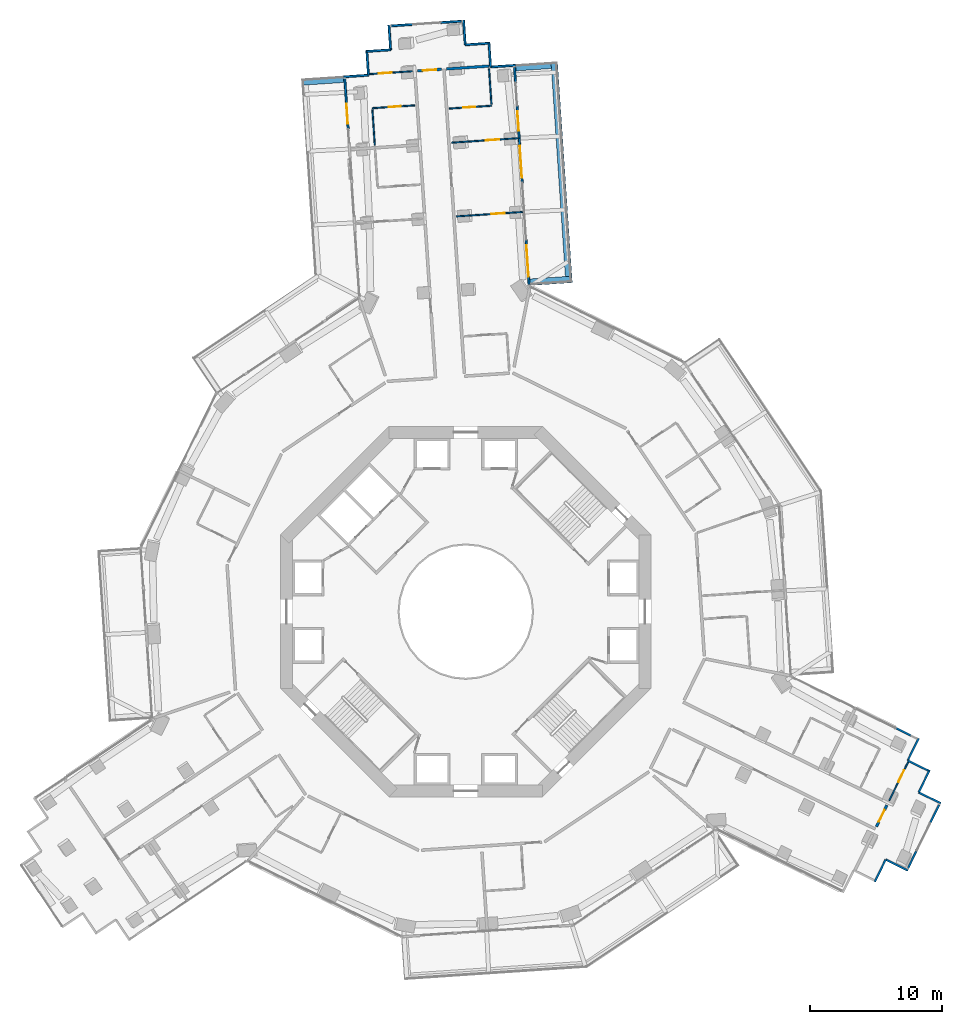
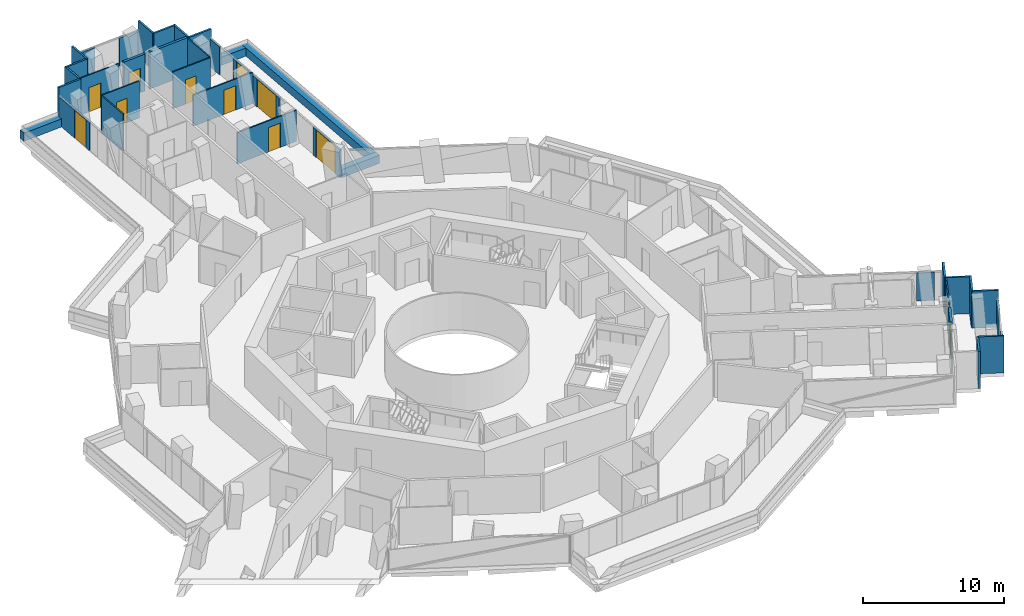
# One storey, part 22 of 25: 39 walls, 12 doors, 12 openings.
"""IFC4 building model written with IfcOpenShell, lengths in metres."""

from ifc_helpers import new_model, si_unit, direction, frame, frame_2d, origin, place, context, subcontext, project, spatial, rectangle, extrude, material, layer, layer_set, type_object, element, fill, save


model = new_model("IFC4")

# Units and contexts
model_context = context("Model", 3, precision=1e-05, world=origin(), true_north=direction((0.0, 1.0)))
body_context = subcontext(model_context, "Body", "Model", "MODEL_VIEW")
ifc_project = project(units=[si_unit("LENGTHUNIT", "METRE"), si_unit("AREAUNIT", "SQUARE_METRE"), si_unit("VOLUMEUNIT", "CUBIC_METRE"), si_unit("PLANEANGLEUNIT", "RADIAN"), si_unit("MASSUNIT", "GRAM", prefix="KILO")], contexts=[model_context])

# Site, building, storey
site_placement = place(None, origin())
site = spatial("IfcSite", under=ifc_project, at=site_placement, CompositionType="ELEMENT")
building_placement = place(site_placement, origin())
building = spatial("IfcBuilding", under=site, at=building_placement, Name="Verdalira Terraces Hotel", CompositionType="ELEMENT")
storey_placement = place(building_placement, frame((0.0, 0.0, 49.5)))
storey = spatial("IfcBuildingStorey", under=building, at=storey_placement, Name="L10", CompositionType="ELEMENT", Elevation=49.5)

# Walls
ifc_material_1 = material(Name="Concrete C40", Category="concrete")
ifc_layer_1 = layer(ifc_material_1, 0.5)
ifc_layer_set_1 = layer_set([ifc_layer_1], Name="Balcony planter trough with tree")
wall_type_1 = type_object("IfcWallType", Name="Balcony planter trough with tree", PredefinedType="SOLIDWALL", material=ifc_layer_set_1)
wall_1_placement = place(storey_placement, frame((-9.216064, 40.231201, 0.0), z_axis=(0.0, 0.0, 1.0), x_axis=(-0.997752279, -0.067010365, 0.0)))
element("IfcWall", 1, at=wall_1_placement, inside=storey, type_object=wall_type_1, Name="Balcony planter", PredefinedType="SOLIDWALL", context=body_context, shape_type="SweptSolid", body=[
    extrude(rectangle(XDim=3.19873, YDim=0.5, at=frame_2d((1.599365, 0.0))), origin(), (0.0, 0.0, 1.0), 0.699951),
])
wall_2_placement = place(storey_placement, frame((4.844971, 24.888672, 0.0), z_axis=(0.0, 0.0, 1.0), x_axis=(0.997752622, 0.067005263, 0.0)))
element("IfcWall", 2, at=wall_2_placement, inside=storey, type_object=wall_type_1, Name="Balcony planter", PredefinedType="SOLIDWALL", context=body_context, shape_type="SweptSolid", body=[
    extrude(rectangle(XDim=3.198975, YDim=0.5, at=frame_2d((1.599609, 0.0))), origin(), (0.0, 0.0, 1.0), 0.699951),
])
wall_3_placement = place(storey_placement, frame((7.770752, 25.335693, 0.0), z_axis=(0.0, 0.0, 1.0), x_axis=(-0.06697871, 0.997754405, 0.0)))
element("IfcWall", 3, at=wall_3_placement, inside=storey, type_object=wall_type_1, Name="Balcony planter", PredefinedType="SOLIDWALL", context=body_context, shape_type="SweptSolid", body=[
    extrude(rectangle(XDim=16.249512, YDim=0.5, at=frame_2d((8.124756, 0.0))), origin(), (0.0, 0.0, 1.0), 0.699951),
])
wall_4_placement = place(storey_placement, frame((6.449707, 41.282715, 0.0), z_axis=(0.0, 0.0, 1.0), x_axis=(-0.997751006, -0.067029329, 0.0)))
element("IfcWall", 4, at=wall_4_placement, inside=storey, type_object=wall_type_1, Name="Balcony planter", PredefinedType="SOLIDWALL", context=body_context, shape_type="SweptSolid", body=[
    extrude(rectangle(XDim=2.698975, YDim=0.5, at=frame_2d((1.349609, 0.0))), origin(), (0.0, 0.0, 1.0), 0.699951),
])
ifc_material_2 = material(Name="Moisture-resistant gypsum board partition")
ifc_layer_2 = layer(ifc_material_2, 0.10009765625)
ifc_layer_set_2 = layer_set([ifc_layer_2], Name="Bathroom partition 100 mm")
wall_type_2 = type_object("IfcWallType", Name="Bathroom partition 100 mm", PredefinedType="PARTITIONING", material=ifc_layer_set_2)
wall_5_placement = place(storey_placement, frame((-7.056396, 37.9375, 0.0), z_axis=(0.0, 0.0, 1.0), x_axis=(0.066909082, -0.997759077, 0.0)))
element("IfcWall", 5, at=wall_5_placement, inside=storey, type_object=wall_type_2, Name="Bathroom partition", PredefinedType="PARTITIONING", context=body_context, shape_type="SweptSolid", body=[
    extrude(rectangle(XDim=2.700195, YDim=0.100098, at=frame_2d((1.350098, 0.0))), origin(), (0.0, 0.0, 1.0), 3.189941),
])

# Wall, opening, door
wall_6_placement = place(storey_placement, frame((-4.043457, 40.828857, 0.0), z_axis=(0.0, 0.0, 1.0), x_axis=(-0.99775516, -0.066967464, 0.0)))
wall_6 = element("IfcWall", 6, at=wall_6_placement, inside=storey, type_object=wall_type_2, Name="Bathroom partition", PredefinedType="PARTITIONING", context=body_context, shape_type="SweptSolid", body=[
    extrude(rectangle(XDim=3.251953, YDim=0.100098, at=frame_2d((1.625977, 0.0))), origin(), (0.0, 0.0, 1.0), 3.189941),
])
opening_1_placement = place(wall_6_placement, frame((1.550049, 0.0, 0.0)))
opening_1 = element("IfcOpeningElement", 7, at=opening_1_placement, cuts=wall_6, Name="Opening L10-107", PredefinedType="OPENING", context=body_context, shape_type="SweptSolid", body=[
    extrude(rectangle(XDim=1.0, YDim=2.100098, at=frame_2d((0.5, 1.050049))), frame((0.0, 0.060059, 0.0), z_axis=(0.0, -1.0, 0.0), x_axis=(1.0, 0.0, 0.0)), (0.0, 0.0, 1.0), 0.120117),
])
ifc_material_3 = material(Name="Timber door", Category="wood")
door_type_1 = type_object("IfcDoorType", Name="Suite internal door 1000 x 2100", OperationType="NOTDEFINED", PredefinedType="DOOR", material=ifc_material_3)
door_1_placement = place(opening_1_placement, origin())
door_1 = element("IfcDoor", 8, at=door_1_placement, inside=storey, type_object=door_type_1, Name="Suite internal door 1002", OperationType="SINGLE_SWING_LEFT", OverallHeight=2.10009765625, OverallWidth=1.0, PredefinedType="DOOR", context=body_context, shape_type="SweptSolid", body=[
    extrude(rectangle(XDim=1.0, YDim=2.100098, at=frame_2d((0.5, 1.050049))), frame((0.0, 0.024902, 0.0), z_axis=(0.0, -1.0, 0.0), x_axis=(1.0, 0.0, 0.0)), (0.0, 0.0, 1.0), 0.050049),
])
fill(opening_1, door_1)

wall_7_placement = place(storey_placement, frame((-3.870361, 38.251465, 0.0), z_axis=(0.0, 0.0, 1.0), x_axis=(-0.997753992, -0.06698486, 0.0)))
wall_7 = element("IfcWall", 9, at=wall_7_placement, inside=storey, type_object=wall_type_2, Name="Bathroom partition", PredefinedType="PARTITIONING", context=body_context, shape_type="SweptSolid", body=[
    extrude(rectangle(XDim=3.199951, YDim=0.100098, at=frame_2d((1.600098, 0.0))), origin(), (0.0, 0.0, 1.0), 3.189941),
])
opening_2_placement = place(wall_7_placement, frame((1.050049, 0.0, 0.0)))
opening_2 = element("IfcOpeningElement", 10, at=opening_2_placement, cuts=wall_7, Name="Opening L10-108", PredefinedType="OPENING", context=body_context, shape_type="SweptSolid", body=[
    extrude(rectangle(XDim=0.899902, YDim=2.100098, at=frame_2d((0.449951, 1.050049))), frame((0.0, 0.060059, 0.0), z_axis=(0.0, -1.0, 0.0), x_axis=(1.0, 0.0, 0.0)), (0.0, 0.0, 1.0), 0.120117),
])
ifc_material_4 = material(Name="Timber door", Category="wood")
door_type_2 = type_object("IfcDoorType", Name="Bathroom door 900 x 2100", OperationType="NOTDEFINED", PredefinedType="DOOR", material=ifc_material_4)
door_2_placement = place(opening_2_placement, origin())
door_2 = element("IfcDoor", 11, at=door_2_placement, inside=storey, type_object=door_type_2, Name="Bathroom door 1002", OperationType="SINGLE_SWING_RIGHT", OverallHeight=2.10009765625, OverallWidth=0.89990234375, PredefinedType="DOOR", context=body_context, shape_type="SweptSolid", body=[
    extrude(rectangle(XDim=0.899902, YDim=2.100098, at=frame_2d((0.449951, 1.050049))), frame((0.0, 0.024902, 0.0), z_axis=(0.0, -1.0, 0.0), x_axis=(1.0, 0.0, 0.0)), (0.0, 0.0, 1.0), 0.050049),
])
fill(opening_2, door_2)

wall_8_placement = place(storey_placement, frame((-1.248291, 38.009766, 0.0), z_axis=(0.0, 0.0, 1.0), x_axis=(0.997753992, 0.06698486, 0.0)))
wall_8 = element("IfcWall", 12, at=wall_8_placement, inside=storey, type_object=wall_type_2, Name="Bathroom partition", PredefinedType="PARTITIONING", context=body_context, shape_type="SweptSolid", body=[
    extrude(rectangle(XDim=3.199951, YDim=0.100098, at=frame_2d((1.600098, 0.0))), origin(), (0.0, 0.0, 1.0), 3.189941),
])
opening_3_placement = place(wall_8_placement, frame((1.050049, 0.0, 0.0)))
opening_3 = element("IfcOpeningElement", 13, at=opening_3_placement, cuts=wall_8, Name="Opening L10-105", PredefinedType="OPENING", context=body_context, shape_type="SweptSolid", body=[
    extrude(rectangle(XDim=0.899902, YDim=2.100098, at=frame_2d((0.449951, 1.050049))), frame((0.0, 0.060059, 0.0), z_axis=(0.0, -1.0, 0.0), x_axis=(1.0, 0.0, 0.0)), (0.0, 0.0, 1.0), 0.120117),
])
door_3_placement = place(opening_3_placement, origin())
door_3 = element("IfcDoor", 14, at=door_3_placement, inside=storey, type_object=door_type_2, Name="Bathroom door 1001", OperationType="SINGLE_SWING_RIGHT", OverallHeight=2.10009765625, OverallWidth=0.89990234375, PredefinedType="DOOR", context=body_context, shape_type="SweptSolid", body=[
    extrude(rectangle(XDim=0.899902, YDim=2.100098, at=frame_2d((0.449951, 1.050049))), frame((0.0, 0.024902, 0.0), z_axis=(0.0, -1.0, 0.0), x_axis=(1.0, 0.0, 0.0)), (0.0, 0.0, 1.0), 0.050049),
])
fill(opening_3, door_3)

# Wall
wall_9_placement = place(storey_placement, frame((1.937744, 38.32373, 0.0), z_axis=(0.0, 0.0, 1.0), x_axis=(-0.066909082, 0.997759077, 0.0)))
element("IfcWall", 15, at=wall_9_placement, inside=storey, type_object=wall_type_2, Name="Bathroom partition", PredefinedType="PARTITIONING", context=body_context, shape_type="SweptSolid", body=[
    extrude(rectangle(XDim=2.700195, YDim=0.100098, at=frame_2d((1.350098, 0.0))), origin(), (0.0, 0.0, 1.0), 3.189941),
])

# Wall, opening, door
wall_10_placement = place(storey_placement, frame((31.995117, -14.267578, 0.0), z_axis=(0.0, 0.0, 1.0), x_axis=(0.440896453, 0.897557975, 0.0)))
wall_10 = element("IfcWall", 16, at=wall_10_placement, inside=storey, type_object=wall_type_2, Name="Bathroom partition", PredefinedType="PARTITIONING", context=body_context, shape_type="SweptSolid", body=[
    extrude(rectangle(XDim=3.252197, YDim=0.100098, at=frame_2d((1.625977, 0.0))), origin(), (0.0, 0.0, 1.0), 3.189941),
])
opening_4_placement = place(wall_10_placement, frame((1.550049, 0.0, 0.0)))
opening_4 = element("IfcOpeningElement", 17, at=opening_4_placement, cuts=wall_10, Name="Opening L10-128", PredefinedType="OPENING", context=body_context, shape_type="SweptSolid", body=[
    extrude(rectangle(XDim=1.0, YDim=2.100098, at=frame_2d((0.5, 1.050049))), frame((0.0, 0.060059, 0.0), z_axis=(0.0, -1.0, 0.0), x_axis=(1.0, 0.0, 0.0)), (0.0, 0.0, 1.0), 0.120117),
])
door_4_placement = place(opening_4_placement, origin())
door_4 = element("IfcDoor", 18, at=door_4_placement, inside=storey, type_object=door_type_1, Name="Suite internal door 1012", OperationType="SINGLE_SWING_LEFT", OverallHeight=2.10009765625, OverallWidth=1.0, PredefinedType="DOOR", context=body_context, shape_type="SweptSolid", body=[
    extrude(rectangle(XDim=1.0, YDim=2.100098, at=frame_2d((0.5, 1.050049))), frame((0.0, 0.024902, 0.0), z_axis=(0.0, -1.0, 0.0), x_axis=(1.0, 0.0, 0.0)), (0.0, 0.0, 1.0), 0.050049),
])
fill(opening_4, door_4)

ifc_material_5 = material(Name="Moisture-resistant gypsum board partition")
ifc_layer_3 = layer(ifc_material_5, 0.10009765625)
ifc_layer_set_3 = layer_set([ifc_layer_3], Name="Bathroom partition 100 mm to beam soffit")
wall_type_3 = type_object("IfcWallType", Name="Bathroom partition 100 mm to beam soffit", PredefinedType="PARTITIONING", material=ifc_layer_set_3)
wall_11_placement = place(storey_placement, frame((-1.075195, 35.432373, 0.0), z_axis=(0.0, 0.0, 1.0), x_axis=(0.997755754, 0.066958606, 0.0)))
wall_11 = element("IfcWall", 19, at=wall_11_placement, inside=storey, type_object=wall_type_3, Name="Bathroom partition", PredefinedType="PARTITIONING", context=body_context, shape_type="SweptSolid", body=[
    extrude(rectangle(XDim=5.049805, YDim=0.100098, at=frame_2d((2.524902, 0.0))), origin(), (0.0, 0.0, 1.0), 2.689941),
])
opening_5_placement = place(wall_11_placement, frame((2.600098, 0.0, 0.0)))
opening_5 = element("IfcOpeningElement", 20, at=opening_5_placement, cuts=wall_11, Name="Opening L10-103", PredefinedType="OPENING", context=body_context, shape_type="SweptSolid", body=[
    extrude(rectangle(XDim=1.0, YDim=2.100098, at=frame_2d((0.5, 1.050049))), frame((0.0, 0.060059, 0.0), z_axis=(0.0, -1.0, 0.0), x_axis=(1.0, 0.0, 0.0)), (0.0, 0.0, 1.0), 0.120117),
])
door_5_placement = place(opening_5_placement, origin())
door_5 = element("IfcDoor", 21, at=door_5_placement, inside=storey, type_object=door_type_1, Name="Suite internal door 1001", OperationType="SINGLE_SWING_LEFT", OverallHeight=2.10009765625, OverallWidth=1.0, PredefinedType="DOOR", context=body_context, shape_type="SweptSolid", body=[
    extrude(rectangle(XDim=1.0, YDim=2.100098, at=frame_2d((0.5, 1.050049))), frame((0.0, 0.024902, 0.0), z_axis=(0.0, -1.0, 0.0), x_axis=(1.0, 0.0, 0.0)), (0.0, 0.0, 1.0), 0.050049),
])
fill(opening_5, door_5)

wall_12_placement = place(storey_placement, frame((4.337158, 30.199707, 0.0), z_axis=(0.0, 0.0, 1.0), x_axis=(-0.997755754, -0.066958606, 0.0)))
wall_12 = element("IfcWall", 22, at=wall_12_placement, inside=storey, type_object=wall_type_3, Name="Bathroom partition", PredefinedType="PARTITIONING", context=body_context, shape_type="SweptSolid", body=[
    extrude(rectangle(XDim=5.049805, YDim=0.100098, at=frame_2d((2.524902, 0.0))), origin(), (0.0, 0.0, 1.0), 2.689941),
])
opening_6_placement = place(wall_12_placement, frame((1.399902, 0.0, 0.0)))
opening_6 = element("IfcOpeningElement", 23, at=opening_6_placement, cuts=wall_12, Name="Opening L10-102", PredefinedType="OPENING", context=body_context, shape_type="SweptSolid", body=[
    extrude(rectangle(XDim=1.0, YDim=2.100098, at=frame_2d((0.5, 1.050049))), frame((0.0, 0.060059, 0.0), z_axis=(0.0, -1.0, 0.0), x_axis=(1.0, 0.0, 0.0)), (0.0, 0.0, 1.0), 0.120117),
])
door_6_placement = place(opening_6_placement, origin())
door_6 = element("IfcDoor", 24, at=door_6_placement, inside=storey, type_object=door_type_1, Name="Suite internal door 1001", OperationType="SINGLE_SWING_LEFT", OverallHeight=2.10009765625, OverallWidth=1.0, PredefinedType="DOOR", context=body_context, shape_type="SweptSolid", body=[
    extrude(rectangle(XDim=1.0, YDim=2.100098, at=frame_2d((0.5, 1.050049))), frame((0.0, 0.024902, 0.0), z_axis=(0.0, -1.0, 0.0), x_axis=(1.0, 0.0, 0.0)), (0.0, 0.0, 1.0), 0.050049),
])
fill(opening_6, door_6)

# Wall
ifc_material_6 = material(Name="Fire-rated gypsum board wall")
ifc_layer_4 = layer(ifc_material_6, 0.199951171875)
ifc_layer_set_4 = layer_set([ifc_layer_4], Name="Demising wall 200 mm")
wall_type_4 = type_object("IfcWallType", Name="Demising wall 200 mm", PredefinedType="SOLIDWALL", material=ifc_layer_set_4)
wall_13_placement = place(storey_placement, frame((-1.449219, 41.00293, 0.0), z_axis=(0.0, 0.0, 1.0), x_axis=(0.997753992, 0.06698486, 0.0)))
element("IfcWall", 25, at=wall_13_placement, inside=storey, type_object=wall_type_4, Name="Demising wall", PredefinedType="SOLIDWALL", context=body_context, shape_type="SweptSolid", body=[
    extrude(rectangle(XDim=3.199951, YDim=0.199951, at=frame_2d((1.600098, 0.0))), origin(), (0.0, 0.0, 1.0), 3.189941),
])

# Wall, opening, door
ifc_material_7 = material(Name="Fire-rated gypsum board wall")
ifc_layer_5 = layer(ifc_material_7, 0.199951171875)
ifc_layer_set_5 = layer_set([ifc_layer_5], Name="Guest corridor wall 200 mm")
wall_type_5 = type_object("IfcWallType", Name="Guest corridor wall 200 mm", PredefinedType="SOLIDWALL", material=ifc_layer_set_5)
wall_14_placement = place(storey_placement, frame((-3.64624, 40.855469, 0.0), z_axis=(0.0, 0.0, 1.0), x_axis=(0.997748437, 0.067067555, 0.0)))
wall_14 = element("IfcWall", 26, at=wall_14_placement, inside=storey, type_object=wall_type_5, Name="Guest corridor wall", PredefinedType="SOLIDWALL", context=body_context, shape_type="SweptSolid", body=[
    extrude(rectangle(XDim=1.802002, YDim=0.199951, at=frame_2d((0.900879, 0.0))), origin(), (0.0, 0.0, 1.0), 3.189941),
])
opening_7_placement = place(wall_14_placement, frame((0.399902, 0.0, 0.0)))
opening_7 = element("IfcOpeningElement", 27, at=opening_7_placement, cuts=wall_14, Name="Opening L10-106", PredefinedType="OPENING", context=body_context, shape_type="SweptSolid", body=[
    extrude(rectangle(XDim=1.0, YDim=2.100098, at=frame_2d((0.5, 1.050049))), frame((0.0, 0.109863, 0.0), z_axis=(0.0, -1.0, 0.0), x_axis=(1.0, 0.0, 0.0)), (0.0, 0.0, 1.0), 0.219971),
])
ifc_material_8 = material(Name="Timber fire door", Category="wood")
door_type_3 = type_object("IfcDoorType", Name="Guest entry door 1000 x 2100", OperationType="NOTDEFINED", PredefinedType="DOOR", material=ifc_material_8)
door_7_placement = place(opening_7_placement, origin())
door_7 = element("IfcDoor", 28, at=door_7_placement, inside=storey, type_object=door_type_3, Name="Guest entry door 1002", OperationType="SINGLE_SWING_LEFT", OverallHeight=2.10009765625, OverallWidth=1.0, PredefinedType="DOOR", context=body_context, shape_type="SweptSolid", body=[
    extrude(rectangle(XDim=1.0, YDim=2.100098, at=frame_2d((0.5, 1.050049))), frame((0.0, 0.024902, 0.0), z_axis=(0.0, -1.0, 0.0), x_axis=(1.0, 0.0, 0.0)), (0.0, 0.0, 1.0), 0.050049),
])
fill(opening_7, door_7)

wall_15_placement = place(storey_placement, frame((31.81958, -14.624756, 0.0), z_axis=(0.0, 0.0, 1.0), x_axis=(-0.440813973, -0.897598486, 0.0)))
wall_15 = element("IfcWall", 29, at=wall_15_placement, inside=storey, type_object=wall_type_5, Name="Guest corridor wall", PredefinedType="SOLIDWALL", context=body_context, shape_type="SweptSolid", body=[
    extrude(rectangle(XDim=1.803955, YDim=0.199951, at=frame_2d((0.901855, 0.0))), origin(), (0.0, 0.0, 1.0), 3.189941),
])
opening_8_placement = place(wall_15_placement, frame((0.399902, 0.0, 0.0)))
opening_8 = element("IfcOpeningElement", 30, at=opening_8_placement, cuts=wall_15, Name="Opening L10-127", PredefinedType="OPENING", context=body_context, shape_type="SweptSolid", body=[
    extrude(rectangle(XDim=1.0, YDim=2.100098, at=frame_2d((0.5, 1.050049))), frame((0.0, 0.109863, 0.0), z_axis=(0.0, -1.0, 0.0), x_axis=(1.0, 0.0, 0.0)), (0.0, 0.0, 1.0), 0.219971),
])
door_8_placement = place(opening_8_placement, origin())
door_8 = element("IfcDoor", 31, at=door_8_placement, inside=storey, type_object=door_type_3, Name="Guest entry door 1012", OperationType="SINGLE_SWING_LEFT", OverallHeight=2.10009765625, OverallWidth=1.0, PredefinedType="DOOR", context=body_context, shape_type="SweptSolid", body=[
    extrude(rectangle(XDim=1.0, YDim=2.100098, at=frame_2d((0.5, 1.050049))), frame((0.0, 0.024902, 0.0), z_axis=(0.0, -1.0, 0.0), x_axis=(1.0, 0.0, 0.0)), (0.0, 0.0, 1.0), 0.050049),
])
fill(opening_8, door_8)

# Walls
ifc_material_9 = material(Name="Terracotta cladding", Category="masonry")
ifc_layer_6 = layer(ifc_material_9, 0.14990234375)
ifc_layer_set_6 = layer_set([ifc_layer_6], Name="Terracotta clad wall 150")
wall_type_6 = type_object("IfcWallType", Name="Terracotta clad wall 150", PredefinedType="SOLIDWALL", material=ifc_layer_set_6)
wall_16_placement = place(storey_placement, frame((3.744141, 41.276367, 0.0), z_axis=(0.0, 0.0, 1.0), x_axis=(-0.997757997, -0.066925174, 0.0)))
element("IfcWall", 32, at=wall_16_placement, inside=storey, type_object=wall_type_6, Name="Terracotta cladding wall", PredefinedType="SOLIDWALL", context=body_context, shape_type="SweptSolid", body=[
    extrude(rectangle(XDim=1.875, YDim=0.149902, at=frame_2d((0.9375, 0.0))), origin(), (0.0, 0.0, 1.0), 3.189941),
])
wall_17_placement = place(storey_placement, frame((1.873291, 41.150879, 0.0), z_axis=(0.0, 0.0, 1.0), x_axis=(-0.067005139, 0.99775263, 0.0)))
element("IfcWall", 33, at=wall_17_placement, inside=storey, type_object=wall_type_6, Name="Terracotta cladding wall", PredefinedType="SOLIDWALL", context=body_context, shape_type="SweptSolid", body=[
    extrude(rectangle(XDim=1.800049, YDim=0.149902, at=frame_2d((0.899902, 0.0))), origin(), (0.0, 0.0, 1.0), 3.189941),
])
for number, where, z_axis, x_axis, name in (
    (34, (1.827637, 42.951904, 0.0), (0.0, 0.0, 1.0), (-0.997749294, -0.067054794, 0.0), "Terracotta cladding wall"),
    (35, (-0.043213, 42.826172, 0.0), (0.0, 0.0, 1.0), (-0.066925174, 0.997757997, 0.0), "Terracotta cladding wall"),
    (36, (-5.806152, 44.318604, 0.0), (0.0, 0.0, 1.0), (0.067054794, -0.997749294, 0.0), "Terracotta cladding wall"),
):
    element("IfcWall", number, at=place(storey_placement, frame(where, z_axis=z_axis, x_axis=x_axis)), inside=storey, type_object=wall_type_6, Name=name, PredefinedType="SOLIDWALL", context=body_context, shape_type="SweptSolid", body=[
        extrude(rectangle(XDim=1.875, YDim=0.149902, at=frame_2d((0.9375, 0.0))), origin(), (0.0, 0.0, 1.0), 3.189941),
    ])
wall_18_placement = place(storey_placement, frame((-5.68042, 42.447754, 0.0), z_axis=(0.0, 0.0, 1.0), x_axis=(-0.997762296, -0.066861059, 0.0)))
element("IfcWall", 37, at=wall_18_placement, inside=storey, type_object=wall_type_6, Name="Terracotta cladding wall", PredefinedType="SOLIDWALL", context=body_context, shape_type="SweptSolid", body=[
    extrude(rectangle(XDim=1.800049, YDim=0.149902, at=frame_2d((0.899902, 0.0))), origin(), (0.0, 0.0, 1.0), 3.189941),
])
for number, where, z_axis, x_axis, name in (
    (38, (-7.481445, 42.4021, 0.0), (0.0, 0.0, 1.0), (0.066925174, -0.997757997, 0.0), "Terracotta cladding wall"),
    (39, (-7.355957, 40.53125, 0.0), (0.0, 0.0, 1.0), (-0.997757997, -0.066925174, 0.0), "Terracotta cladding wall"),
    (40, (30.898193, -20.41333, 0.0), (0.0, 0.0, 1.0), (0.440900199, 0.897556134, 0.0), "Terracotta cladding wall"),
    (41, (31.724854, -18.730469, 0.0), (0.0, 0.0, 1.0), (0.897556134, -0.440900199, 0.0), "Terracotta cladding wall"),
    (42, (35.898682, -14.48584, 0.0), (0.0, 0.0, 1.0), (-0.897556134, 0.440900199, 0.0), "Terracotta cladding wall"),
):
    element("IfcWall", number, at=place(storey_placement, frame(where, z_axis=z_axis, x_axis=x_axis)), inside=storey, type_object=wall_type_6, Name=name, PredefinedType="SOLIDWALL", context=body_context, shape_type="SweptSolid", body=[
        extrude(rectangle(XDim=1.875, YDim=0.149902, at=frame_2d((0.9375, 0.0))), origin(), (0.0, 0.0, 1.0), 3.189941),
    ])
wall_19_placement = place(storey_placement, frame((34.21582, -13.65918, 0.0), z_axis=(0.0, 0.0, 1.0), x_axis=(0.440800363, 0.897605169, 0.0)))
element("IfcWall", 43, at=wall_19_placement, inside=storey, type_object=wall_type_6, Name="Terracotta cladding wall", PredefinedType="SOLIDWALL", context=body_context, shape_type="SweptSolid", body=[
    extrude(rectangle(XDim=1.800049, YDim=0.149902, at=frame_2d((0.899902, 0.0))), origin(), (0.0, 0.0, 1.0), 3.189941),
])
for number, where, z_axis, x_axis, name in (
    (44, (35.07666, -12.07666, 0.0), (0.0, 0.0, 1.0), (-0.897556134, 0.440900199, 0.0), "Terracotta cladding wall"),
    (45, (33.393799, -11.25, 0.0), (0.0, 0.0, 1.0), (0.440900199, 0.897556134, 0.0), "Terracotta cladding wall"),
):
    element("IfcWall", number, at=place(storey_placement, frame(where, z_axis=z_axis, x_axis=x_axis)), inside=storey, type_object=wall_type_6, Name=name, PredefinedType="SOLIDWALL", context=body_context, shape_type="SweptSolid", body=[
        extrude(rectangle(XDim=1.875, YDim=0.149902, at=frame_2d((0.9375, 0.0))), origin(), (0.0, 0.0, 1.0), 3.189941),
    ])
ifc_material_10 = material(Name="Terracotta cladding", Category="masonry")
ifc_layer_7 = layer(ifc_material_10, 0.14990234375)
ifc_layer_set_7 = layer_set([ifc_layer_7], Name="Terracotta column pier 150")
wall_type_7 = type_object("IfcWallType", Name="Terracotta column pier 150", PredefinedType="SOLIDWALL", material=ifc_layer_set_7)
wall_20_placement = place(storey_placement, frame((3.756348, 39.974121, 0.0), z_axis=(0.0, 0.0, 1.0), x_axis=(-0.066995929, 0.997753249, 0.0)))
element("IfcWall", 46, at=wall_20_placement, inside=storey, type_object=wall_type_7, Name="Terracotta column pier", PredefinedType="SOLIDWALL", context=body_context, shape_type="SweptSolid", body=[
    extrude(rectangle(XDim=1.155273, YDim=0.149902, at=frame_2d((0.577637, 0.0))), origin(), (0.0, 0.0, 1.0), 2.425049),
])
wall_21_placement = place(storey_placement, frame((-0.318359, 44.611816, 0.0), z_axis=(0.0, 0.0, 1.0), x_axis=(-0.997751705, -0.06701891, 0.0)))
element("IfcWall", 47, at=wall_21_placement, inside=storey, type_object=wall_type_7, Name="Terracotta column pier", PredefinedType="SOLIDWALL", context=body_context, shape_type="SweptSolid", body=[
    extrude(rectangle(XDim=1.588379, YDim=0.149902, at=frame_2d((0.794189, 0.0))), origin(), (0.0, 0.0, 1.0), 2.425049),
])
wall_22_placement = place(storey_placement, frame((-3.970215, 44.366699, 0.0), z_axis=(0.0, 0.0, 1.0), x_axis=(-0.997753539, -0.066991608, 0.0)))
element("IfcWall", 48, at=wall_22_placement, inside=storey, type_object=wall_type_7, Name="Terracotta column pier", PredefinedType="SOLIDWALL", context=body_context, shape_type="SweptSolid", body=[
    extrude(rectangle(XDim=1.679932, YDim=0.149902, at=frame_2d((0.839844, 0.0))), origin(), (0.0, 0.0, 1.0), 2.425049),
])
wall_23_placement = place(storey_placement, frame((33.408691, -19.38501, 0.0), z_axis=(0.0, 0.0, 1.0), x_axis=(0.440873911, 0.897569047, 0.0)))
element("IfcWall", 49, at=wall_23_placement, inside=storey, type_object=wall_type_7, Name="Terracotta column pier", PredefinedType="SOLIDWALL", context=body_context, shape_type="SweptSolid", body=[
    extrude(rectangle(XDim=1.496826, YDim=0.149902, at=frame_2d((0.748535, 0.0))), origin(), (0.0, 0.0, 1.0), 2.425049),
])
wall_24_placement = place(storey_placement, frame((35.066406, -16.01001, 0.0), z_axis=(0.0, 0.0, 1.0), x_axis=(0.440960655, 0.897526435, 0.0)))
element("IfcWall", 50, at=wall_24_placement, inside=storey, type_object=wall_type_7, Name="Terracotta column pier", PredefinedType="SOLIDWALL", context=body_context, shape_type="SweptSolid", body=[
    extrude(rectangle(XDim=1.580078, YDim=0.149902, at=frame_2d((0.790039, 0.0))), origin(), (0.0, 0.0, 1.0), 2.425049),
])
wall_25_placement = place(storey_placement, frame((33.626465, -9.358887, 0.0), z_axis=(0.0, 0.0, 1.0), x_axis=(-0.897563574, 0.440885054, 0.0)))
element("IfcWall", 51, at=wall_25_placement, inside=storey, type_object=wall_type_7, Name="Terracotta column pier", PredefinedType="SOLIDWALL", context=body_context, shape_type="SweptSolid", body=[
    extrude(rectangle(XDim=1.282959, YDim=0.149902, at=frame_2d((0.641602, 0.0))), origin(), (0.0, 0.0, 1.0), 2.425049),
])

# Wall, opening, door
ifc_material_11 = material(Name="Terracotta cladding", Category="masonry")
ifc_layer_8 = layer(ifc_material_11, 0.14990234375)
ifc_layer_set_8 = layer_set([ifc_layer_8], Name="Terracotta door pier 150")
wall_type_8 = type_object("IfcWallType", Name="Terracotta door pier 150", PredefinedType="SOLIDWALL", material=ifc_layer_set_8)
wall_26_placement = place(storey_placement, frame((4.78125, 24.704102, 0.0), z_axis=(0.0, 0.0, 1.0), x_axis=(-0.066962013, 0.997755526, 0.0)))
wall_26 = element("IfcWall", 52, at=wall_26_placement, inside=storey, type_object=wall_type_8, Name="Terracotta door pier", PredefinedType="SOLIDWALL", context=body_context, shape_type="SweptSolid", body=[
    extrude(rectangle(XDim=3.401611, YDim=0.149902, at=frame_2d((1.700684, 0.0))), origin(), (0.0, 0.0, 1.0), 2.425049),
])
opening_9_placement = place(wall_26_placement, frame((0.601807, 0.0, 0.0)))
opening_9 = element("IfcOpeningElement", 53, at=opening_9_placement, cuts=wall_26, Name="Opening L10-B01", PredefinedType="OPENING", context=body_context, shape_type="SweptSolid", body=[
    extrude(rectangle(XDim=2.399902, YDim=2.399902, at=frame_2d((1.199951, 1.199951))), frame((0.0, 0.084961, 0.0), z_axis=(0.0, -1.0, 0.0), x_axis=(1.0, 0.0, 0.0)), (0.0, 0.0, 1.0), 0.169922),
])
ifc_material_12 = material(Name="Clear glass", Category="glass")
door_type_4 = type_object("IfcDoorType", Name="Balcony sliding door 2400x2400", OperationType="NOTDEFINED", PredefinedType="DOOR", material=ifc_material_12)
door_9_placement = place(opening_9_placement, origin())
door_9 = element("IfcDoor", 54, at=door_9_placement, inside=storey, type_object=door_type_4, Name="Balcony sliding door", OperationType="SLIDING_TO_LEFT", OverallHeight=2.39990234375, OverallWidth=2.39990234375, PredefinedType="DOOR", context=body_context, shape_type="SweptSolid", body=[
    extrude(rectangle(XDim=2.399902, YDim=2.399902, at=frame_2d((1.199951, 1.199951))), frame((0.0, 0.024902, 0.0), z_axis=(0.0, -1.0, 0.0), x_axis=(1.0, 0.0, 0.0)), (0.0, 0.0, 1.0), 0.050049),
])
fill(opening_9, door_9)

wall_27_placement = place(storey_placement, frame((4.265625, 32.386963, 0.0), z_axis=(0.0, 0.0, 1.0), x_axis=(-0.066996111, 0.997753237, 0.0)))
wall_27 = element("IfcWall", 55, at=wall_27_placement, inside=storey, type_object=wall_type_8, Name="Terracotta door pier", PredefinedType="SOLIDWALL", context=body_context, shape_type="SweptSolid", body=[
    extrude(rectangle(XDim=3.39624, YDim=0.149902, at=frame_2d((1.698242, 0.0))), origin(), (0.0, 0.0, 1.0), 2.425049),
])
opening_10_placement = place(wall_27_placement, frame((0.399902, 0.0, 0.0)))
opening_10 = element("IfcOpeningElement", 56, at=opening_10_placement, cuts=wall_27, Name="Opening L10-B02", PredefinedType="OPENING", context=body_context, shape_type="SweptSolid", body=[
    extrude(rectangle(XDim=2.399902, YDim=2.399902, at=frame_2d((1.199951, 1.199951))), frame((0.0, 0.084961, 0.0), z_axis=(0.0, -1.0, 0.0), x_axis=(1.0, 0.0, 0.0)), (0.0, 0.0, 1.0), 0.169922),
])
door_10_placement = place(opening_10_placement, origin())
door_10 = element("IfcDoor", 57, at=door_10_placement, inside=storey, type_object=door_type_4, Name="Balcony sliding door", OperationType="SLIDING_TO_RIGHT", OverallHeight=2.39990234375, OverallWidth=2.39990234375, PredefinedType="DOOR", context=body_context, shape_type="SweptSolid", body=[
    extrude(rectangle(XDim=2.399902, YDim=2.399902, at=frame_2d((1.199951, 1.199951))), frame((0.0, 0.024902, 0.0), z_axis=(0.0, -1.0, 0.0), x_axis=(1.0, 0.0, 0.0)), (0.0, 0.0, 1.0), 0.050049),
])
fill(opening_10, door_10)

wall_28_placement = place(storey_placement, frame((4.038086, 35.775635, 0.0), z_axis=(0.0, 0.0, 1.0), x_axis=(-0.066968778, 0.997755072, 0.0)))
wall_28 = element("IfcWall", 58, at=wall_28_placement, inside=storey, type_object=wall_type_8, Name="Terracotta door pier", PredefinedType="SOLIDWALL", context=body_context, shape_type="SweptSolid", body=[
    extrude(rectangle(XDim=2.449951, YDim=0.149902, at=frame_2d((1.225098, 0.0))), origin(), (0.0, 0.0, 1.0), 2.425049),
])
opening_11_placement = place(wall_28_placement, frame((0.550049, 0.0, 0.0)))
opening_11 = element("IfcOpeningElement", 59, at=opening_11_placement, cuts=wall_28, Name="Opening L10-B03", PredefinedType="OPENING", context=body_context, shape_type="SweptSolid", body=[
    extrude(rectangle(XDim=1.5, YDim=2.399902, at=frame_2d((0.75, 1.199951))), frame((0.0, 0.084961, 0.0), z_axis=(0.0, -1.0, 0.0), x_axis=(1.0, 0.0, 0.0)), (0.0, 0.0, 1.0), 0.169922),
])
ifc_material_13 = material(Name="Clear glass", Category="glass")
door_type_5 = type_object("IfcDoorType", Name="Balcony sliding door 1500x2400", OperationType="NOTDEFINED", PredefinedType="DOOR", material=ifc_material_13)
door_11_placement = place(opening_11_placement, origin())
door_11 = element("IfcDoor", 60, at=door_11_placement, inside=storey, type_object=door_type_5, Name="Balcony sliding door", OperationType="SLIDING_TO_LEFT", OverallHeight=2.39990234375, OverallWidth=1.5, PredefinedType="DOOR", context=body_context, shape_type="SweptSolid", body=[
    extrude(rectangle(XDim=1.5, YDim=2.399902, at=frame_2d((0.75, 1.199951))), frame((0.0, 0.024902, 0.0), z_axis=(0.0, -1.0, 0.0), x_axis=(1.0, 0.0, 0.0)), (0.0, 0.0, 1.0), 0.050049),
])
fill(opening_11, door_11)

wall_29_placement = place(storey_placement, frame((-9.14209, 40.266113, 0.0), z_axis=(0.0, 0.0, 1.0), x_axis=(0.066922803, -0.997758156, 0.0)))
wall_29 = element("IfcWall", 61, at=wall_29_placement, inside=storey, type_object=wall_type_8, Name="Terracotta door pier", PredefinedType="SOLIDWALL", context=body_context, shape_type="SweptSolid", body=[
    extrude(rectangle(XDim=3.812256, YDim=0.149902, at=frame_2d((1.90625, 0.0))), origin(), (0.0, 0.0, 1.0), 2.425049),
])
opening_12_placement = place(wall_29_placement, frame((1.912354, 0.0, 0.0)))
opening_12 = element("IfcOpeningElement", 62, at=opening_12_placement, cuts=wall_29, Name="Opening L10-B04", PredefinedType="OPENING", context=body_context, shape_type="SweptSolid", body=[
    extrude(rectangle(XDim=1.5, YDim=2.399902, at=frame_2d((0.75, 1.199951))), frame((0.0, 0.084961, 0.0), z_axis=(0.0, -1.0, 0.0), x_axis=(1.0, 0.0, 0.0)), (0.0, 0.0, 1.0), 0.169922),
])
door_12_placement = place(opening_12_placement, origin())
door_12 = element("IfcDoor", 63, at=door_12_placement, inside=storey, type_object=door_type_5, Name="Balcony sliding door", OperationType="SLIDING_TO_LEFT", OverallHeight=2.39990234375, OverallWidth=1.5, PredefinedType="DOOR", context=body_context, shape_type="SweptSolid", body=[
    extrude(rectangle(XDim=1.5, YDim=2.399902, at=frame_2d((0.75, 1.199951))), frame((0.0, 0.024902, 0.0), z_axis=(0.0, -1.0, 0.0), x_axis=(1.0, 0.0, 0.0)), (0.0, 0.0, 1.0), 0.050049),
])
fill(opening_12, door_12)

save(model, "model.ifc")
